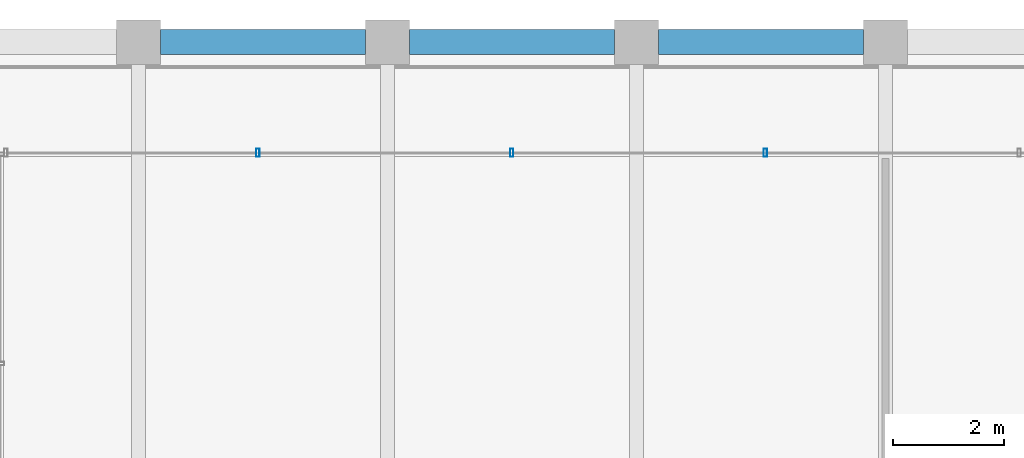
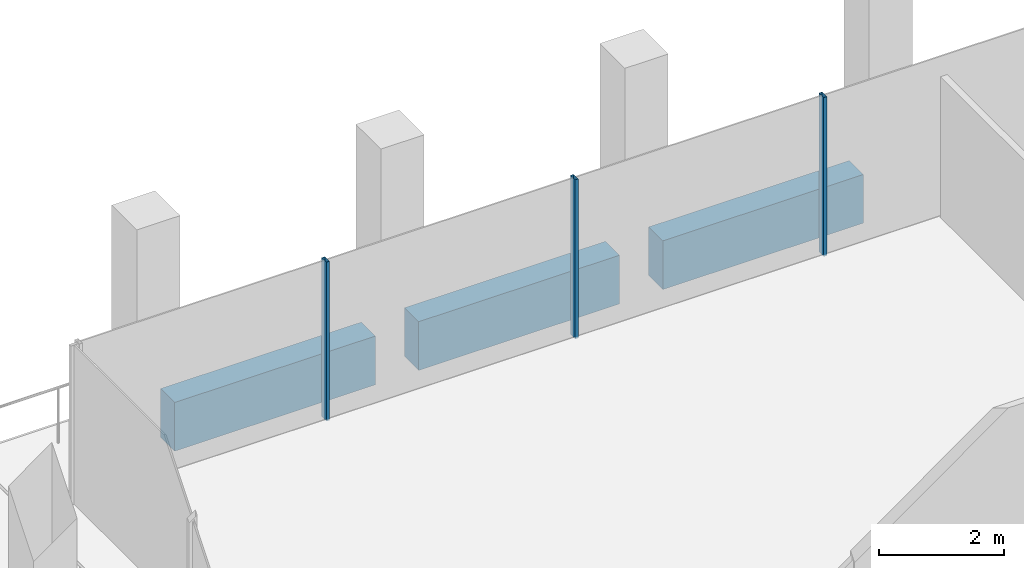
# One storey, part 23 of 30: 3 beams, 3 members, 1 element without a shape of its own.
"""IFC4 building model written with IfcOpenShell, lengths in metres."""

from ifc_helpers import new_model, si_unit, direction, frame, origin, origin_2d, place, context, subcontext, project, spatial, rectangle, hollow_rectangle, extrude, material, material_profile, profile_set, type_object, element, aggregate, save


model = new_model("IFC4")

# Units and contexts
model_context = context("Model", 3, precision=1e-05, world=origin(), true_north=direction((0.0, 1.0)))
body_context = subcontext(model_context, "Body", "Model", "MODEL_VIEW")
ifc_project = project(units=[si_unit("LENGTHUNIT", "METRE"), si_unit("AREAUNIT", "SQUARE_METRE"), si_unit("VOLUMEUNIT", "CUBIC_METRE"), si_unit("PLANEANGLEUNIT", "RADIAN"), si_unit("MASSUNIT", "GRAM", prefix="KILO")], contexts=[model_context])

# Site, building, storey
site_placement = place(None, origin())
site = spatial("IfcSite", under=ifc_project, at=site_placement, CompositionType="ELEMENT")
building_placement = place(site_placement, origin())
building = spatial("IfcBuilding", under=site, at=building_placement, Name="Altepetl Exchange Towers", CompositionType="ELEMENT")
storey_placement = place(building_placement, frame((0.0, 0.0, 238.800048828125)))
storey = spatial("IfcBuildingStorey", under=building, at=storey_placement, Name="L61", CompositionType="ELEMENT", Elevation=238.800048828125)

# Curtain wall, members
ifc_material_1 = material(Name="Aluminium 6063-T6 glazing", Category="aluminium")
curtain_wall_type = type_object("IfcCurtainWallType", Name="Loggia glazing system", PredefinedType="NOTDEFINED", material=ifc_material_1)
curtain_wall_placement = place(storey_placement, origin())
curtain_wall = element("IfcCurtainWall", 1, at=curtain_wall_placement, inside=storey, type_object=curtain_wall_type, Name="CW1 run", PredefinedType="NOTDEFINED")
ifc_material_2 = material(Name="Aluminium 6063-T6", Category="aluminium")
ifc_material_profile_1 = material_profile(ifc_material_2, hollow_rectangle(XDim=0.06005859375, YDim=0.14990234375, WallThickness=0.0029296875, at=origin_2d()), Name="Mullion 60x150 aluminium")
ifc_profile_set_1 = profile_set([ifc_material_profile_1], Name="Aluminium 6063-T6")
member_type = type_object("IfcMemberType", Name="Mullion 60x150 aluminium", PredefinedType="MULLION", material=ifc_profile_set_1)
member_1_placement = place(storey_placement, frame((56.330078125, 70.0, 0.0), z_axis=(0.0, 0.0, 1.0), x_axis=(-1.0, 0.0, 0.0)))
member_1 = element("IfcMember", 2, at=member_1_placement, type_object=member_type, Name="MU1 mullion", PredefinedType="MULLION", context=body_context, shape_type="SweptSolid", body=[
    extrude(hollow_rectangle(XDim=0.06005859375, YDim=0.14990234375, WallThickness=0.0029296875, at=origin_2d()), origin(), (0.0, 0.0, 1.0), 3.099853515625),
])
member_2_placement = place(storey_placement, frame((51.7451171875, 70.0, 0.0), z_axis=(0.0, 0.0, 1.0), x_axis=(-1.0, 0.0, 0.0)))
member_2 = element("IfcMember", 3, at=member_2_placement, type_object=member_type, Name="MU1 mullion", PredefinedType="MULLION", context=body_context, shape_type="SweptSolid", body=[
    extrude(hollow_rectangle(XDim=0.06005859375, YDim=0.14990234375, WallThickness=0.0029296875, at=origin_2d()), origin(), (0.0, 0.0, 1.0), 3.099853515625),
])
member_3_placement = place(storey_placement, frame((47.159912109375, 70.0, 0.0), z_axis=(0.0, 0.0, 1.0), x_axis=(-1.0, 0.0, 0.0)))
member_3 = element("IfcMember", 4, at=member_3_placement, type_object=member_type, Name="MU1 mullion", PredefinedType="MULLION", context=body_context, shape_type="SweptSolid", body=[
    extrude(hollow_rectangle(XDim=0.06005859375, YDim=0.14990234375, WallThickness=0.0029296875, at=origin_2d()), origin(), (0.0, 0.0, 1.0), 3.099853515625),
])
aggregate(curtain_wall, [member_1, member_2, member_3])

# Beams
ifc_material_3 = material(Name="Concrete C50/60 precast with cantera rosa facing", Category="concrete")
ifc_material_profile_2 = material_profile(ifc_material_3, rectangle(XDim=0.449951171875, YDim=0.949951171875, at=origin_2d()), Name="450 x 950")
ifc_profile_set_2 = profile_set([ifc_material_profile_2], Name="Concrete C50/60 precast with cantera rosa facing")
beam_type = type_object("IfcBeamType", Name="Spandrel beam 450x950 cantera rosa", PredefinedType="SPANDREL", material=ifc_profile_set_2)
for number, where, z_axis, x_axis, name in (
    (5, (58.10009765625, 72.0, -0.625), (-1.0, 0.0, 0.0), (0.0, -1.0, 0.0), "sp:A:L61:026"),
    (6, (53.60009765625, 72.0, -0.625), (-1.0, 0.0, 0.0), (0.0, -1.0, 0.0), "sp:A:L61:027"),
    (7, (49.10009765625, 72.0, -0.625), (-1.0, 0.0, 0.0), (0.0, -1.0, 0.0), "sp:A:L61:028"),
):
    element("IfcBeam", number, at=place(storey_placement, frame(where, z_axis=z_axis, x_axis=x_axis)), inside=storey, type_object=beam_type, Name=name, PredefinedType="SPANDREL", context=body_context, shape_type="SweptSolid", body=[
        extrude(rectangle(XDim=0.449951171875, YDim=0.949951171875, at=origin_2d()), origin(), (0.0, 0.0, 1.0), 3.7001953125),
    ])

save(model, "model.ifc")
